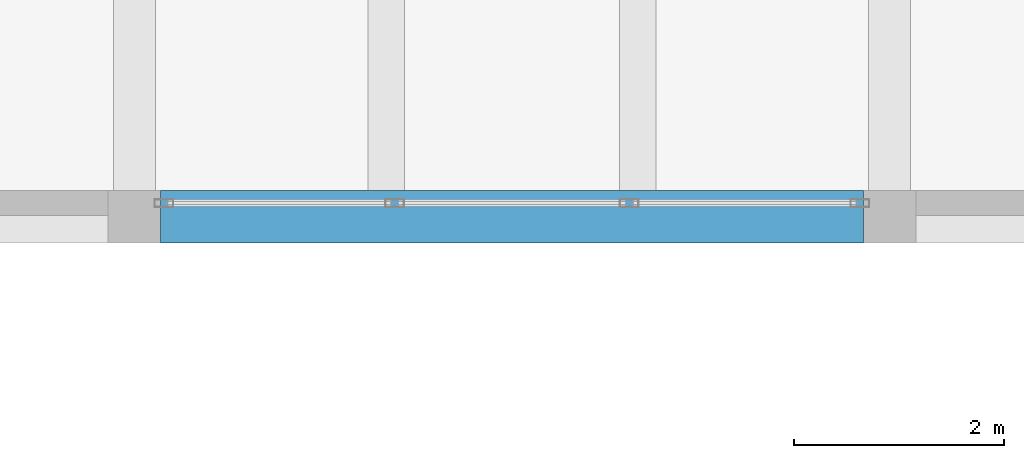
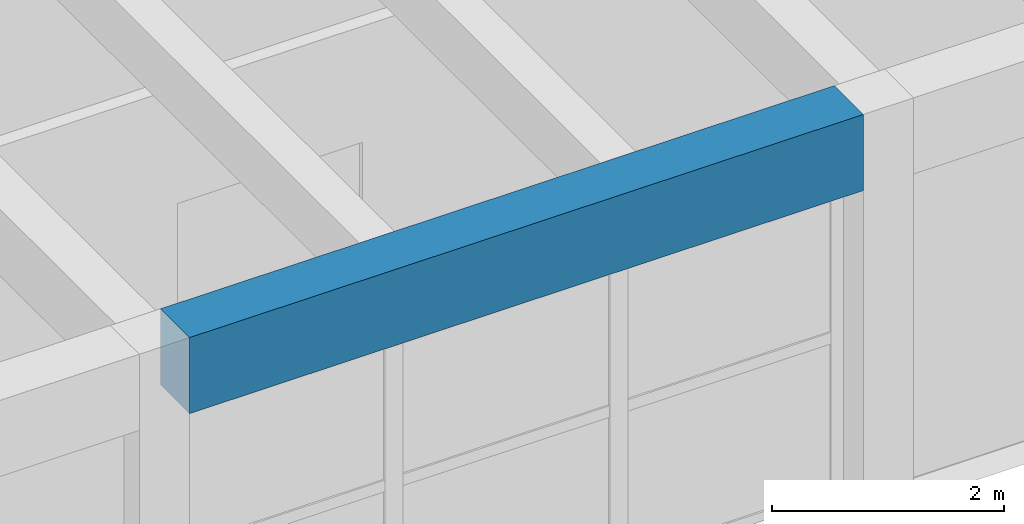
# One storey, part 51 of 153: 1 beam.
"""IFC4 building model written with IfcOpenShell, lengths in metres."""

from ifc_helpers import new_model, si_unit, direction, frame, origin, origin_2d, place, context, subcontext, project, spatial, rectangle, extrude, material, material_profile, profile_set, type_object, element, save


model = new_model("IFC4")

# Units and contexts
model_context = context("Model", 3, precision=1e-05, world=origin(), true_north=direction((0.0, 1.0)))
body_context = subcontext(model_context, "Body", "Model", "MODEL_VIEW")
ifc_project = project(units=[si_unit("LENGTHUNIT", "METRE"), si_unit("AREAUNIT", "SQUARE_METRE"), si_unit("VOLUMEUNIT", "CUBIC_METRE"), si_unit("PLANEANGLEUNIT", "RADIAN"), si_unit("MASSUNIT", "GRAM", prefix="KILO")], contexts=[model_context])

# Site, building, storey
site_placement = place(None, origin())
site = spatial("IfcSite", under=ifc_project, at=site_placement, CompositionType="ELEMENT")
building_placement = place(site_placement, origin())
building = spatial("IfcBuilding", under=site, at=building_placement, Name="Bramvelor Terrace Health Centre", CompositionType="ELEMENT")
storey_placement = place(building_placement, frame((0.0, 0.0, 4.800048828125)))
storey = spatial("IfcBuildingStorey", under=building, at=storey_placement, Name="L02", CompositionType="ELEMENT", Elevation=4.800048828125)

# Beam
ifc_material = material(Name="Concrete C40/50", Category="concrete")
ifc_material_profile = material_profile(ifc_material, rectangle(XDim=0.5, YDim=0.800048828125, at=origin_2d()), Name="RC 500x800")
ifc_profile_set = profile_set([ifc_material_profile], Name="Concrete C40/50")
beam_type = type_object("IfcBeamType", Name="BM-RC-G800", PredefinedType="BEAM", material=ifc_profile_set)
beam_placement = place(storey_placement, frame((122.64990234375, 50.39990234375, 3.800048828125), z_axis=(1.0, 0.0, 0.0), x_axis=(0.0, 1.0, 0.0)))
element("IfcBeam", 1, at=beam_placement, inside=storey, type_object=beam_type, Name="L02 Floor Girder", PredefinedType="BEAM", context=body_context, shape_type="SweptSolid", body=[
    extrude(rectangle(XDim=0.5, YDim=0.800048828125, at=origin_2d()), origin(), (0.0, 0.0, 1.0), 6.7001953125),
])

save(model, "model.ifc")
